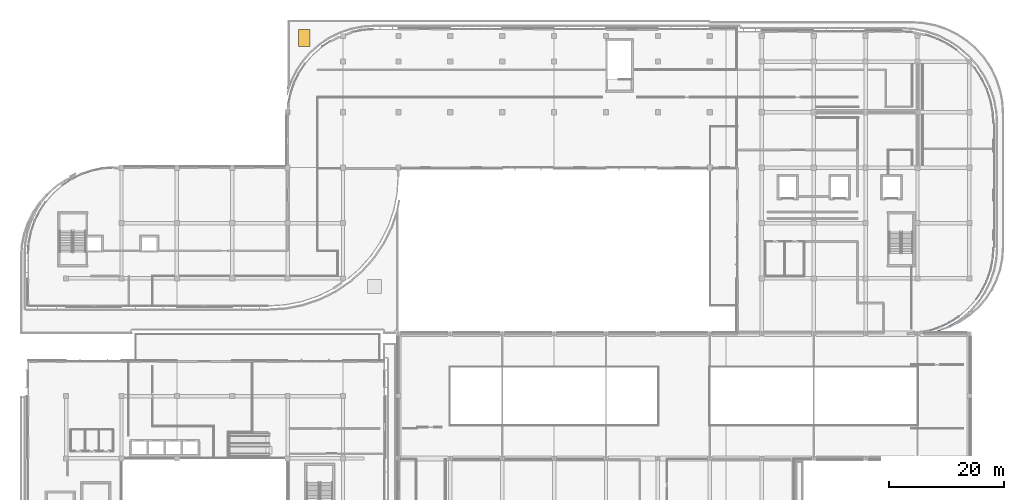
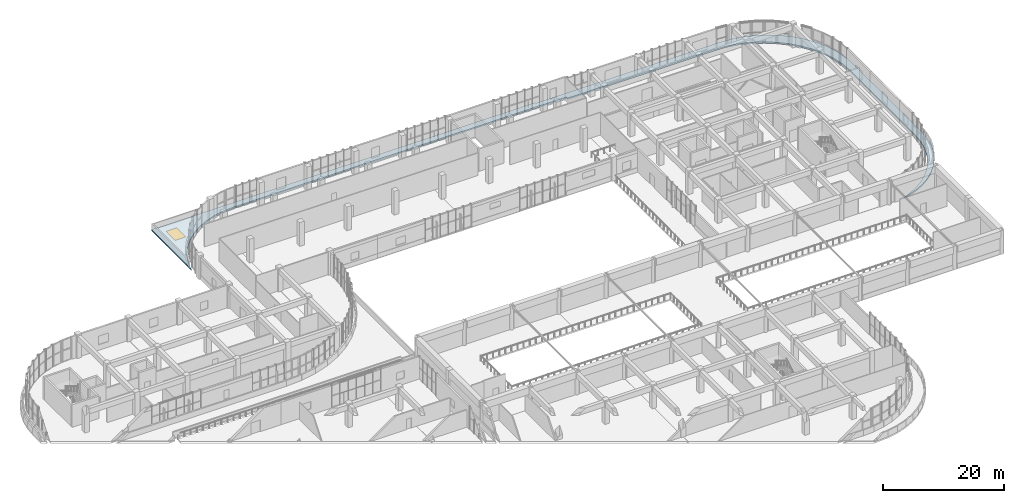
# One storey, part 53 of 96: 1 slab, 1 window, 1 opening.
"""IFC4 building model written with IfcOpenShell, lengths in metres."""

from ifc_helpers import new_model, si_unit, direction, frame, origin, origin_2d, place, context, subcontext, project, spatial, polyline, rectangle, outline, extrude, material, layer, layer_set, type_object, element, fill, save


model = new_model("IFC4")

# Units and contexts
model_context = context("Model", 3, precision=1e-05, world=origin(), true_north=direction((0.0, 1.0)))
body_context = subcontext(model_context, "Body", "Model", "MODEL_VIEW")
ifc_project = project(units=[si_unit("LENGTHUNIT", "METRE"), si_unit("AREAUNIT", "SQUARE_METRE"), si_unit("VOLUMEUNIT", "CUBIC_METRE"), si_unit("PLANEANGLEUNIT", "RADIAN"), si_unit("MASSUNIT", "GRAM", prefix="KILO")], contexts=[model_context])

# Site, building, storey
site_placement = place(None, origin())
site = spatial("IfcSite", under=ifc_project, at=site_placement, CompositionType="ELEMENT")
building_placement = place(site_placement, origin())
building = spatial("IfcBuilding", under=site, at=building_placement, Name="Cendralis Terraced Arcade", CompositionType="ELEMENT")
storey_placement = place(building_placement, frame((0.0, 0.0, 10.199951171875)))
storey = spatial("IfcBuildingStorey", under=building, at=storey_placement, Name="L02", CompositionType="ELEMENT", Elevation=10.199951171875)

# Slab, opening, window
ifc_material_1 = material(Name="Concrete f'c 35 MPa", Category="concrete")
ifc_layer = layer(ifc_material_1, 0.27490234375, Name="SLB-ROOF-275")
ifc_layer_set = layer_set([ifc_layer], Name="Concrete f'c 35 MPa")
slab_type = type_object("IfcSlabType", Name="SLB-ROOF-275", PredefinedType="ROOF", material=ifc_layer_set)
slab_placement = place(storey_placement, frame((0.0, 0.0, -0.27490234375)))
slab = element("IfcSlab", 1, at=slab_placement, inside=storey, type_object=slab_type, Name="Insulated Flat Concrete Roof Slab ROOF-FLAT-L02-2", PredefinedType="ROOF", context=body_context, shape_type="SweptSolid", body=[
    extrude(outline(polyline([(156.199951171875, 114.199951171875), (158.288330078125, 114.06298828125), (160.341064453125, 113.65478515625), (162.322998046875, 112.982177734375), (164.199951171875, 112.056396484375), (165.940185546875, 110.893798828125), (167.513671875, 109.513671875), (168.893798828125, 107.940185546875), (170.056396484375, 106.199951171875), (170.982177734375, 104.322998046875), (171.65478515625, 102.341064453125), (172.06298828125, 100.288330078125), (172.199951171875, 98.199951171875), (172.199951171875, 75.0), (172.07177734375, 73.0419921875), (171.68896484375, 71.11767578125), (171.05810546875, 69.259765625), (170.1904296875, 67.5), (169.100341796875, 65.86865234375), (167.806640625, 64.393310546875), (166.331298828125, 63.099609375), (164.699951171875, 62.009521484375), (162.940185546875, 61.141845703125), (161.082275390625, 60.510986328125), (160.624267578125, 60.419921875), (160.320556640625, 60.419921875), (161.301513671875, 60.7529296875), (163.110595703125, 61.64501953125), (164.78759765625, 62.765869140625), (166.30419921875, 64.095703125), (167.63427734375, 65.6123046875), (168.7548828125, 67.28955078125), (169.647216796875, 69.0986328125), (170.29541015625, 71.0087890625), (170.68896484375, 72.9873046875), (170.820068359375, 74.986328125), (170.820068359375, 96.413818359375), (170.680419921875, 98.543212890625), (170.261474609375, 100.64990234375), (169.571044921875, 102.68408203125), (168.620849609375, 104.6103515625), (167.427490234375, 106.396484375), (166.01123046875, 108.01123046875), (164.396484375, 109.427490234375), (162.6103515625, 110.620849609375), (160.68408203125, 111.571044921875), (158.64990234375, 112.261474609375), (156.543212890625, 112.680419921875), (154.413818359375, 112.820068359375), (126.419921875, 112.820068359375), (126.419921875, 113.219970703125), (62.986328125, 113.219970703125), (60.9873046875, 113.089111328125), (59.0087890625, 112.695556640625), (57.0986328125, 112.047119140625), (55.28955078125, 111.15478515625), (53.6123046875, 110.0341796875), (52.095703125, 108.7041015625), (50.765869140625, 107.1875), (49.64501953125, 105.510498046875), (48.7529296875, 103.701416015625), (48.1044921875, 101.791259765625), (48.0, 101.265625), (48.0, 114.39990234375), (121.199951171875, 114.39990234375), (121.199951171875, 114.199951171875), (156.199951171875, 114.199951171875)])), origin(), (0.0, 0.0, 1.0), 0.27490234375),
])
opening_placement = place(slab_placement, frame((50.862060546875, 111.264892578125, 0.0)))
opening = element("IfcOpeningElement", 2, at=opening_placement, cuts=slab, Name="Opening SK-02", PredefinedType="OPENING", context=body_context, shape_type="SweptSolid", body=[
    extrude(rectangle(XDim=2.0, YDim=3.0, at=origin_2d()), frame((0.0, 0.0, -0.011962890625)), (0.0, 0.0, 1.0), 0.298828125),
])
ifc_material_2 = material(Name="Tempered solar control laminated glass", Category="glass")
window_type = type_object("IfcWindowType", Name="SKY-2000x3000", PartitioningType="SINGLE_PANEL", PredefinedType="SKYLIGHT", material=ifc_material_2)
window_placement = place(opening_placement, frame((0.0, 0.0, 0.224853515625)))
window = element("IfcWindow", 3, at=window_placement, inside=storey, type_object=window_type, Name="Insulated Laminated Glass Roof Skylight SKY-L02-02", OverallHeight=3.0, OverallWidth=2.0, PartitioningType="SINGLE_PANEL", PredefinedType="SKYLIGHT", context=body_context, shape_type="SweptSolid", body=[
    extrude(rectangle(XDim=2.0, YDim=3.0, at=origin_2d()), origin(), (0.0, 0.0, 1.0), 0.050048828125),
])
fill(opening, window)

save(model, "model.ifc")
